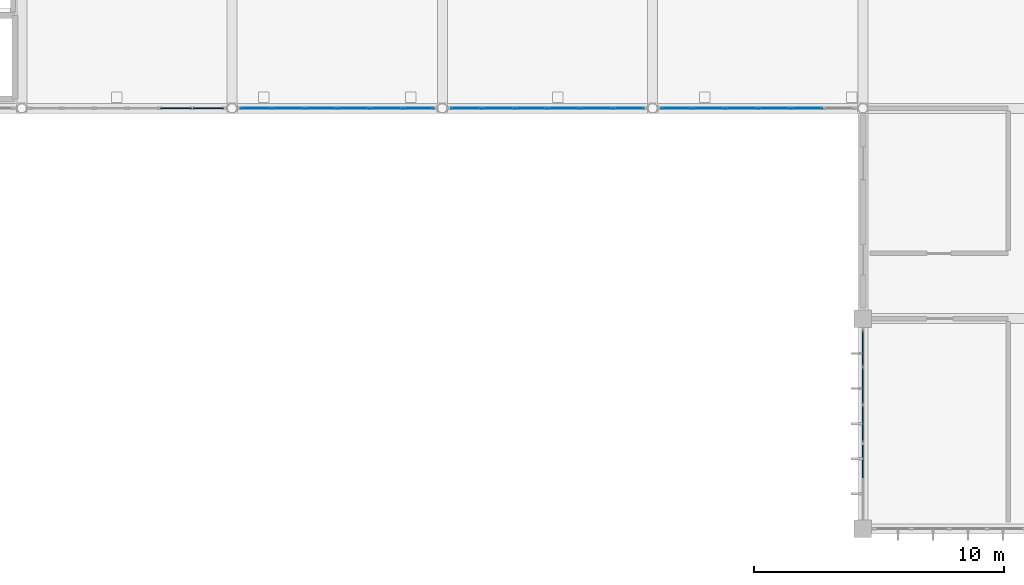
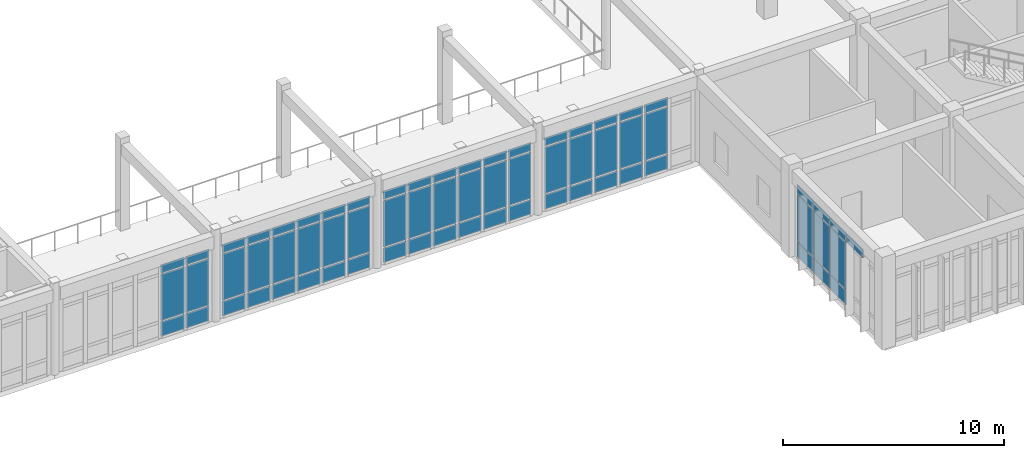
# One storey, part 69 of 134: 67 plates, 5 elements without a shape of their own.
"""IFC4 building model written with IfcOpenShell, lengths in metres."""

from ifc_helpers import new_model, si_unit, direction, frame, origin, origin_2d, place, context, subcontext, project, spatial, rectangle, extrude, material, layer, layer_set, type_object, element, aggregate, save


model = new_model("IFC4")

# Units and contexts
model_context = context("Model", 3, precision=1e-05, world=origin(), true_north=direction((0.0, 1.0)))
body_context = subcontext(model_context, "Body", "Model", "MODEL_VIEW")
ifc_project = project(units=[si_unit("LENGTHUNIT", "METRE"), si_unit("AREAUNIT", "SQUARE_METRE"), si_unit("VOLUMEUNIT", "CUBIC_METRE"), si_unit("PLANEANGLEUNIT", "RADIAN"), si_unit("MASSUNIT", "GRAM", prefix="KILO")], contexts=[model_context])

# Site, building, storey
site_placement = place(None, origin())
site = spatial("IfcSite", under=ifc_project, at=site_placement, CompositionType="ELEMENT")
building_placement = place(site_placement, origin())
building = spatial("IfcBuilding", under=site, at=building_placement, Name="Bramfleet General Hospital", CompositionType="ELEMENT")
storey_placement = place(building_placement, frame((0.0, 0.0, 9.300048828125)))
storey = spatial("IfcBuildingStorey", under=building, at=storey_placement, Name="L02", CompositionType="ELEMENT", Elevation=9.300048828125)

# Curtain wall, plates
ifc_material_1 = material(Name="Anodised aluminium and low-E triple glazing", Category="aluminium")
ifc_layer_1 = layer(ifc_material_1, 0.179931640625, Name="CWT-CW-03")
ifc_layer_set_1 = layer_set([ifc_layer_1], Name="Anodised aluminium and low-E triple glazing")
curtain_wall_type_1 = type_object("IfcCurtainWallType", Name="CWT-CW-03", PredefinedType="USERDEFINED", material=ifc_layer_set_1)
curtain_wall_1_placement = place(storey_placement, origin())
curtain_wall_1 = element("IfcCurtainWall", 1, at=curtain_wall_1_placement, inside=storey, type_object=curtain_wall_type_1, Name="L02 Curtain Wall 129", ObjectType="Unitised curtain wall", PredefinedType="USERDEFINED")
ifc_material_2 = material(Name="Low-E laminated safety glass", Category="glass")
ifc_layer_2 = layer(ifc_material_2, 0.028076171875, Name="CWP-GLZ-1")
ifc_layer_set_2 = layer_set([ifc_layer_2], Name="Low-E laminated safety glass")
plate_type_1 = type_object("IfcPlateType", Name="CWP-GLZ-1", PredefinedType="CURTAIN_PANEL", material=ifc_layer_set_2)
plate_1_placement = place(storey_placement, frame((90.160888671875, 16.800048828125, 0.06494140625), z_axis=(0.0, 0.0, 1.0), x_axis=(-1.0, 0.0, 0.0)))
plate_1 = element("IfcPlate", 2, at=plate_1_placement, type_object=plate_type_1, Name="CW-03 panel 2.1", PredefinedType="CURTAIN_PANEL", context=body_context, shape_type="SweptSolid", body=[
    extrude(rectangle(XDim=1.232421875, YDim=0.028076171875, at=origin_2d()), origin(), (0.0, 0.0, 1.0), 0.802490234375),
])
plate_2_placement = place(storey_placement, frame((90.160888671875, 16.800048828125, 0.9326171875), z_axis=(0.0, 0.0, 1.0), x_axis=(-1.0, 0.0, 0.0)))
plate_2 = element("IfcPlate", 3, at=plate_2_placement, type_object=plate_type_1, Name="CW-03 panel 2.2", PredefinedType="CURTAIN_PANEL", context=body_context, shape_type="SweptSolid", body=[
    extrude(rectangle(XDim=1.232421875, YDim=0.028076171875, at=origin_2d()), origin(), (0.0, 0.0, 1.0), 2.554931640625),
])
plate_3_placement = place(storey_placement, frame((90.160888671875, 16.800048828125, 3.552734375), z_axis=(0.0, 0.0, 1.0), x_axis=(-1.0, 0.0, 0.0)))
plate_3 = element("IfcPlate", 4, at=plate_3_placement, type_object=plate_type_1, Name="CW-03 panel 2.3", PredefinedType="CURTAIN_PANEL", context=body_context, shape_type="SweptSolid", body=[
    extrude(rectangle(XDim=1.232421875, YDim=0.028076171875, at=origin_2d()), origin(), (0.0, 0.0, 1.0), 0.452392578125),
])
plate_4_placement = place(storey_placement, frame((88.853759765625, 16.800048828125, 0.06494140625), z_axis=(0.0, 0.0, 1.0), x_axis=(-1.0, 0.0, 0.0)))
plate_4 = element("IfcPlate", 5, at=plate_4_placement, type_object=plate_type_1, Name="CW-03 panel 3.1", PredefinedType="CURTAIN_PANEL", context=body_context, shape_type="SweptSolid", body=[
    extrude(rectangle(XDim=1.232421875, YDim=0.028076171875, at=origin_2d()), origin(), (0.0, 0.0, 1.0), 0.802490234375),
])
plate_5_placement = place(storey_placement, frame((88.853759765625, 16.800048828125, 0.9326171875), z_axis=(0.0, 0.0, 1.0), x_axis=(-1.0, 0.0, 0.0)))
plate_5 = element("IfcPlate", 6, at=plate_5_placement, type_object=plate_type_1, Name="CW-03 panel 3.2", PredefinedType="CURTAIN_PANEL", context=body_context, shape_type="SweptSolid", body=[
    extrude(rectangle(XDim=1.232421875, YDim=0.028076171875, at=origin_2d()), origin(), (0.0, 0.0, 1.0), 2.554931640625),
])
plate_6_placement = place(storey_placement, frame((88.853759765625, 16.800048828125, 3.552734375), z_axis=(0.0, 0.0, 1.0), x_axis=(-1.0, 0.0, 0.0)))
plate_6 = element("IfcPlate", 7, at=plate_6_placement, type_object=plate_type_1, Name="CW-03 panel 3.3", PredefinedType="CURTAIN_PANEL", context=body_context, shape_type="SweptSolid", body=[
    extrude(rectangle(XDim=1.232421875, YDim=0.028076171875, at=origin_2d()), origin(), (0.0, 0.0, 1.0), 0.452392578125),
])
plate_7_placement = place(storey_placement, frame((87.54638671875, 16.800048828125, 0.06494140625), z_axis=(0.0, 0.0, 1.0), x_axis=(-1.0, 0.0, 0.0)))
plate_7 = element("IfcPlate", 8, at=plate_7_placement, type_object=plate_type_1, Name="CW-03 panel 4.1", PredefinedType="CURTAIN_PANEL", context=body_context, shape_type="SweptSolid", body=[
    extrude(rectangle(XDim=1.232421875, YDim=0.028076171875, at=origin_2d()), origin(), (0.0, 0.0, 1.0), 0.802490234375),
])
plate_8_placement = place(storey_placement, frame((87.54638671875, 16.800048828125, 0.9326171875), z_axis=(0.0, 0.0, 1.0), x_axis=(-1.0, 0.0, 0.0)))
plate_8 = element("IfcPlate", 9, at=plate_8_placement, type_object=plate_type_1, Name="CW-03 panel 4.2", PredefinedType="CURTAIN_PANEL", context=body_context, shape_type="SweptSolid", body=[
    extrude(rectangle(XDim=1.232421875, YDim=0.028076171875, at=origin_2d()), origin(), (0.0, 0.0, 1.0), 2.554931640625),
])
plate_9_placement = place(storey_placement, frame((87.54638671875, 16.800048828125, 3.552734375), z_axis=(0.0, 0.0, 1.0), x_axis=(-1.0, 0.0, 0.0)))
plate_9 = element("IfcPlate", 10, at=plate_9_placement, type_object=plate_type_1, Name="CW-03 panel 4.3", PredefinedType="CURTAIN_PANEL", context=body_context, shape_type="SweptSolid", body=[
    extrude(rectangle(XDim=1.232421875, YDim=0.028076171875, at=origin_2d()), origin(), (0.0, 0.0, 1.0), 0.452392578125),
])
plate_10_placement = place(storey_placement, frame((86.239013671875, 16.800048828125, 0.06494140625), z_axis=(0.0, 0.0, 1.0), x_axis=(-1.0, 0.0, 0.0)))
plate_10 = element("IfcPlate", 11, at=plate_10_placement, type_object=plate_type_1, Name="CW-03 panel 5.1", PredefinedType="CURTAIN_PANEL", context=body_context, shape_type="SweptSolid", body=[
    extrude(rectangle(XDim=1.232421875, YDim=0.028076171875, at=origin_2d()), origin(), (0.0, 0.0, 1.0), 0.802490234375),
])
plate_11_placement = place(storey_placement, frame((86.239013671875, 16.800048828125, 0.9326171875), z_axis=(0.0, 0.0, 1.0), x_axis=(-1.0, 0.0, 0.0)))
plate_11 = element("IfcPlate", 12, at=plate_11_placement, type_object=plate_type_1, Name="CW-03 panel 5.2", PredefinedType="CURTAIN_PANEL", context=body_context, shape_type="SweptSolid", body=[
    extrude(rectangle(XDim=1.232421875, YDim=0.028076171875, at=origin_2d()), origin(), (0.0, 0.0, 1.0), 2.554931640625),
])
plate_12_placement = place(storey_placement, frame((86.239013671875, 16.800048828125, 3.552734375), z_axis=(0.0, 0.0, 1.0), x_axis=(-1.0, 0.0, 0.0)))
plate_12 = element("IfcPlate", 13, at=plate_12_placement, type_object=plate_type_1, Name="CW-03 panel 5.3", PredefinedType="CURTAIN_PANEL", context=body_context, shape_type="SweptSolid", body=[
    extrude(rectangle(XDim=1.232421875, YDim=0.028076171875, at=origin_2d()), origin(), (0.0, 0.0, 1.0), 0.452392578125),
])
plate_13_placement = place(storey_placement, frame((84.950439453125, 16.800048828125, 0.06494140625), z_axis=(0.0, 0.0, 1.0), x_axis=(-1.0, 0.0, 0.0)))
plate_13 = element("IfcPlate", 14, at=plate_13_placement, type_object=plate_type_1, Name="CW-03 panel 6.1", PredefinedType="CURTAIN_PANEL", context=body_context, shape_type="SweptSolid", body=[
    extrude(rectangle(XDim=1.19482421875, YDim=0.028076171875, at=origin_2d()), origin(), (0.0, 0.0, 1.0), 0.802490234375),
])
plate_14_placement = place(storey_placement, frame((84.950439453125, 16.800048828125, 0.9326171875), z_axis=(0.0, 0.0, 1.0), x_axis=(-1.0, 0.0, 0.0)))
plate_14 = element("IfcPlate", 15, at=plate_14_placement, type_object=plate_type_1, Name="CW-03 panel 6.2", PredefinedType="CURTAIN_PANEL", context=body_context, shape_type="SweptSolid", body=[
    extrude(rectangle(XDim=1.19482421875, YDim=0.028076171875, at=origin_2d()), origin(), (0.0, 0.0, 1.0), 2.554931640625),
])
plate_15_placement = place(storey_placement, frame((84.950439453125, 16.800048828125, 3.552734375), z_axis=(0.0, 0.0, 1.0), x_axis=(-1.0, 0.0, 0.0)))
plate_15 = element("IfcPlate", 16, at=plate_15_placement, type_object=plate_type_1, Name="CW-03 panel 6.3", PredefinedType="CURTAIN_PANEL", context=body_context, shape_type="SweptSolid", body=[
    extrude(rectangle(XDim=1.19482421875, YDim=0.028076171875, at=origin_2d()), origin(), (0.0, 0.0, 1.0), 0.452392578125),
])
aggregate(curtain_wall_1, [plate_1, plate_2, plate_3, plate_4, plate_5, plate_6, plate_7, plate_8, plate_9, plate_10, plate_11, plate_12, plate_13, plate_14, plate_15])

ifc_layer_3 = layer(ifc_material_1, 0.179931640625, Name="CWT-CW-04")
ifc_layer_set_3 = layer_set([ifc_layer_3], Name="Anodised aluminium and low-E triple glazing")
curtain_wall_type_2 = type_object("IfcCurtainWallType", Name="CWT-CW-04", PredefinedType="USERDEFINED", material=ifc_layer_set_3)
curtain_wall_2_placement = place(storey_placement, origin())
curtain_wall_2 = element("IfcCurtainWall", 17, at=curtain_wall_2_placement, inside=storey, type_object=curtain_wall_type_2, Name="L02 Curtain Wall 130", ObjectType="Unitised curtain wall", PredefinedType="USERDEFINED")
ifc_layer_4 = layer(ifc_material_2, 0.031982421875, Name="CWP-GLZ-2")
ifc_layer_set_4 = layer_set([ifc_layer_4], Name="Low-E laminated safety glass")
plate_type_2 = type_object("IfcPlateType", Name="CWP-GLZ-2", PredefinedType="CURTAIN_PANEL", material=ifc_layer_set_4)
plate_16_placement = place(storey_placement, frame((83.049560546875, 16.800048828125, 0.06494140625), z_axis=(0.0, 0.0, 1.0), x_axis=(-1.0, 0.0, 0.0)))
plate_16 = element("IfcPlate", 18, at=plate_16_placement, type_object=plate_type_2, Name="CW-04 panel 1.1", PredefinedType="CURTAIN_PANEL", context=body_context, shape_type="SweptSolid", body=[
    extrude(rectangle(XDim=1.19482421875, YDim=0.031982421875, at=origin_2d()), origin(), (0.0, 0.0, 1.0), 0.802490234375),
])
plate_17_placement = place(storey_placement, frame((83.049560546875, 16.800048828125, 0.9326171875), z_axis=(0.0, 0.0, 1.0), x_axis=(-1.0, 0.0, 0.0)))
plate_17 = element("IfcPlate", 19, at=plate_17_placement, type_object=plate_type_2, Name="CW-04 panel 1.2", PredefinedType="CURTAIN_PANEL", context=body_context, shape_type="SweptSolid", body=[
    extrude(rectangle(XDim=1.19482421875, YDim=0.031982421875, at=origin_2d()), origin(), (0.0, 0.0, 1.0), 2.554931640625),
])
plate_18_placement = place(storey_placement, frame((83.049560546875, 16.800048828125, 3.552734375), z_axis=(0.0, 0.0, 1.0), x_axis=(-1.0, 0.0, 0.0)))
plate_18 = element("IfcPlate", 20, at=plate_18_placement, type_object=plate_type_2, Name="CW-04 panel 1.3", PredefinedType="CURTAIN_PANEL", context=body_context, shape_type="SweptSolid", body=[
    extrude(rectangle(XDim=1.19482421875, YDim=0.031982421875, at=origin_2d()), origin(), (0.0, 0.0, 1.0), 0.452392578125),
])
plate_19_placement = place(storey_placement, frame((81.760986328125, 16.800048828125, 0.06494140625), z_axis=(0.0, 0.0, 1.0), x_axis=(-1.0, 0.0, 0.0)))
plate_19 = element("IfcPlate", 21, at=plate_19_placement, type_object=plate_type_2, Name="CW-04 panel 2.1", PredefinedType="CURTAIN_PANEL", context=body_context, shape_type="SweptSolid", body=[
    extrude(rectangle(XDim=1.232421875, YDim=0.031982421875, at=origin_2d()), origin(), (0.0, 0.0, 1.0), 0.802490234375),
])
plate_20_placement = place(storey_placement, frame((81.760986328125, 16.800048828125, 0.9326171875), z_axis=(0.0, 0.0, 1.0), x_axis=(-1.0, 0.0, 0.0)))
plate_20 = element("IfcPlate", 22, at=plate_20_placement, type_object=plate_type_2, Name="CW-04 panel 2.2", PredefinedType="CURTAIN_PANEL", context=body_context, shape_type="SweptSolid", body=[
    extrude(rectangle(XDim=1.232421875, YDim=0.031982421875, at=origin_2d()), origin(), (0.0, 0.0, 1.0), 2.554931640625),
])
plate_21_placement = place(storey_placement, frame((81.760986328125, 16.800048828125, 3.552734375), z_axis=(0.0, 0.0, 1.0), x_axis=(-1.0, 0.0, 0.0)))
plate_21 = element("IfcPlate", 23, at=plate_21_placement, type_object=plate_type_2, Name="CW-04 panel 2.3", PredefinedType="CURTAIN_PANEL", context=body_context, shape_type="SweptSolid", body=[
    extrude(rectangle(XDim=1.232421875, YDim=0.031982421875, at=origin_2d()), origin(), (0.0, 0.0, 1.0), 0.452392578125),
])
plate_22_placement = place(storey_placement, frame((80.45361328125, 16.800048828125, 0.06494140625), z_axis=(0.0, 0.0, 1.0), x_axis=(-1.0, 0.0, 0.0)))
plate_22 = element("IfcPlate", 24, at=plate_22_placement, type_object=plate_type_2, Name="CW-04 panel 3.1", PredefinedType="CURTAIN_PANEL", context=body_context, shape_type="SweptSolid", body=[
    extrude(rectangle(XDim=1.232421875, YDim=0.031982421875, at=origin_2d()), origin(), (0.0, 0.0, 1.0), 0.802490234375),
])
plate_23_placement = place(storey_placement, frame((80.45361328125, 16.800048828125, 0.9326171875), z_axis=(0.0, 0.0, 1.0), x_axis=(-1.0, 0.0, 0.0)))
plate_23 = element("IfcPlate", 25, at=plate_23_placement, type_object=plate_type_2, Name="CW-04 panel 3.2", PredefinedType="CURTAIN_PANEL", context=body_context, shape_type="SweptSolid", body=[
    extrude(rectangle(XDim=1.232421875, YDim=0.031982421875, at=origin_2d()), origin(), (0.0, 0.0, 1.0), 2.554931640625),
])
plate_24_placement = place(storey_placement, frame((80.45361328125, 16.800048828125, 3.552734375), z_axis=(0.0, 0.0, 1.0), x_axis=(-1.0, 0.0, 0.0)))
plate_24 = element("IfcPlate", 26, at=plate_24_placement, type_object=plate_type_2, Name="CW-04 panel 3.3", PredefinedType="CURTAIN_PANEL", context=body_context, shape_type="SweptSolid", body=[
    extrude(rectangle(XDim=1.232421875, YDim=0.031982421875, at=origin_2d()), origin(), (0.0, 0.0, 1.0), 0.452392578125),
])
plate_25_placement = place(storey_placement, frame((79.146240234375, 16.800048828125, 0.06494140625), z_axis=(0.0, 0.0, 1.0), x_axis=(-1.0, 0.0, 0.0)))
plate_25 = element("IfcPlate", 27, at=plate_25_placement, type_object=plate_type_2, Name="CW-04 panel 4.1", PredefinedType="CURTAIN_PANEL", context=body_context, shape_type="SweptSolid", body=[
    extrude(rectangle(XDim=1.232421875, YDim=0.031982421875, at=origin_2d()), origin(), (0.0, 0.0, 1.0), 0.802490234375),
])
plate_26_placement = place(storey_placement, frame((79.146240234375, 16.800048828125, 0.9326171875), z_axis=(0.0, 0.0, 1.0), x_axis=(-1.0, 0.0, 0.0)))
plate_26 = element("IfcPlate", 28, at=plate_26_placement, type_object=plate_type_2, Name="CW-04 panel 4.2", PredefinedType="CURTAIN_PANEL", context=body_context, shape_type="SweptSolid", body=[
    extrude(rectangle(XDim=1.232421875, YDim=0.031982421875, at=origin_2d()), origin(), (0.0, 0.0, 1.0), 2.554931640625),
])
plate_27_placement = place(storey_placement, frame((79.146240234375, 16.800048828125, 3.552734375), z_axis=(0.0, 0.0, 1.0), x_axis=(-1.0, 0.0, 0.0)))
plate_27 = element("IfcPlate", 29, at=plate_27_placement, type_object=plate_type_2, Name="CW-04 panel 4.3", PredefinedType="CURTAIN_PANEL", context=body_context, shape_type="SweptSolid", body=[
    extrude(rectangle(XDim=1.232421875, YDim=0.031982421875, at=origin_2d()), origin(), (0.0, 0.0, 1.0), 0.452392578125),
])
plate_28_placement = place(storey_placement, frame((77.839111328125, 16.800048828125, 0.06494140625), z_axis=(0.0, 0.0, 1.0), x_axis=(-1.0, 0.0, 0.0)))
plate_28 = element("IfcPlate", 30, at=plate_28_placement, type_object=plate_type_2, Name="CW-04 panel 5.1", PredefinedType="CURTAIN_PANEL", context=body_context, shape_type="SweptSolid", body=[
    extrude(rectangle(XDim=1.232421875, YDim=0.031982421875, at=origin_2d()), origin(), (0.0, 0.0, 1.0), 0.802490234375),
])
plate_29_placement = place(storey_placement, frame((77.839111328125, 16.800048828125, 0.9326171875), z_axis=(0.0, 0.0, 1.0), x_axis=(-1.0, 0.0, 0.0)))
plate_29 = element("IfcPlate", 31, at=plate_29_placement, type_object=plate_type_2, Name="CW-04 panel 5.2", PredefinedType="CURTAIN_PANEL", context=body_context, shape_type="SweptSolid", body=[
    extrude(rectangle(XDim=1.232421875, YDim=0.031982421875, at=origin_2d()), origin(), (0.0, 0.0, 1.0), 2.554931640625),
])
plate_30_placement = place(storey_placement, frame((77.839111328125, 16.800048828125, 3.552734375), z_axis=(0.0, 0.0, 1.0), x_axis=(-1.0, 0.0, 0.0)))
plate_30 = element("IfcPlate", 32, at=plate_30_placement, type_object=plate_type_2, Name="CW-04 panel 5.3", PredefinedType="CURTAIN_PANEL", context=body_context, shape_type="SweptSolid", body=[
    extrude(rectangle(XDim=1.232421875, YDim=0.031982421875, at=origin_2d()), origin(), (0.0, 0.0, 1.0), 0.452392578125),
])
plate_31_placement = place(storey_placement, frame((76.550537109375, 16.800048828125, 0.06494140625), z_axis=(0.0, 0.0, 1.0), x_axis=(-1.0, 0.0, 0.0)))
plate_31 = element("IfcPlate", 33, at=plate_31_placement, type_object=plate_type_2, Name="CW-04 panel 6.1", PredefinedType="CURTAIN_PANEL", context=body_context, shape_type="SweptSolid", body=[
    extrude(rectangle(XDim=1.19482421875, YDim=0.031982421875, at=origin_2d()), origin(), (0.0, 0.0, 1.0), 0.802490234375),
])
plate_32_placement = place(storey_placement, frame((76.550537109375, 16.800048828125, 0.9326171875), z_axis=(0.0, 0.0, 1.0), x_axis=(-1.0, 0.0, 0.0)))
plate_32 = element("IfcPlate", 34, at=plate_32_placement, type_object=plate_type_2, Name="CW-04 panel 6.2", PredefinedType="CURTAIN_PANEL", context=body_context, shape_type="SweptSolid", body=[
    extrude(rectangle(XDim=1.19482421875, YDim=0.031982421875, at=origin_2d()), origin(), (0.0, 0.0, 1.0), 2.554931640625),
])
plate_33_placement = place(storey_placement, frame((76.550537109375, 16.800048828125, 3.552734375), z_axis=(0.0, 0.0, 1.0), x_axis=(-1.0, 0.0, 0.0)))
plate_33 = element("IfcPlate", 35, at=plate_33_placement, type_object=plate_type_2, Name="CW-04 panel 6.3", PredefinedType="CURTAIN_PANEL", context=body_context, shape_type="SweptSolid", body=[
    extrude(rectangle(XDim=1.19482421875, YDim=0.031982421875, at=origin_2d()), origin(), (0.0, 0.0, 1.0), 0.452392578125),
])
aggregate(curtain_wall_2, [plate_16, plate_17, plate_18, plate_19, plate_20, plate_21, plate_22, plate_23, plate_24, plate_25, plate_26, plate_27, plate_28, plate_29, plate_30, plate_31, plate_32, plate_33])

ifc_layer_5 = layer(ifc_material_1, 0.179931640625, Name="CWT-CW-05")
ifc_layer_set_5 = layer_set([ifc_layer_5], Name="Anodised aluminium and low-E triple glazing")
curtain_wall_type_3 = type_object("IfcCurtainWallType", Name="CWT-CW-05", PredefinedType="USERDEFINED", material=ifc_layer_set_5)
curtain_wall_3_placement = place(storey_placement, origin())
curtain_wall_3 = element("IfcCurtainWall", 36, at=curtain_wall_3_placement, inside=storey, type_object=curtain_wall_type_3, Name="L02 Curtain Wall 131", ObjectType="Unitised curtain wall", PredefinedType="USERDEFINED")
ifc_layer_6 = layer(ifc_material_2, 0.035888671875, Name="CWP-GLZ-3")
ifc_layer_set_6 = layer_set([ifc_layer_6], Name="Low-E laminated safety glass")
plate_type_3 = type_object("IfcPlateType", Name="CWP-GLZ-3", PredefinedType="CURTAIN_PANEL", material=ifc_layer_set_6)
plate_34_placement = place(storey_placement, frame((74.649658203125, 16.800048828125, 0.06494140625), z_axis=(0.0, 0.0, 1.0), x_axis=(-1.0, 0.0, 0.0)))
plate_34 = element("IfcPlate", 37, at=plate_34_placement, type_object=plate_type_3, Name="CW-05 panel 1.1", PredefinedType="CURTAIN_PANEL", context=body_context, shape_type="SweptSolid", body=[
    extrude(rectangle(XDim=1.19482421875, YDim=0.035888671875, at=origin_2d()), origin(), (0.0, 0.0, 1.0), 0.802490234375),
])
plate_35_placement = place(storey_placement, frame((74.649658203125, 16.800048828125, 0.9326171875), z_axis=(0.0, 0.0, 1.0), x_axis=(-1.0, 0.0, 0.0)))
plate_35 = element("IfcPlate", 38, at=plate_35_placement, type_object=plate_type_3, Name="CW-05 panel 1.2", PredefinedType="CURTAIN_PANEL", context=body_context, shape_type="SweptSolid", body=[
    extrude(rectangle(XDim=1.19482421875, YDim=0.035888671875, at=origin_2d()), origin(), (0.0, 0.0, 1.0), 2.554931640625),
])
plate_36_placement = place(storey_placement, frame((74.649658203125, 16.800048828125, 3.552734375), z_axis=(0.0, 0.0, 1.0), x_axis=(-1.0, 0.0, 0.0)))
plate_36 = element("IfcPlate", 39, at=plate_36_placement, type_object=plate_type_3, Name="CW-05 panel 1.3", PredefinedType="CURTAIN_PANEL", context=body_context, shape_type="SweptSolid", body=[
    extrude(rectangle(XDim=1.19482421875, YDim=0.035888671875, at=origin_2d()), origin(), (0.0, 0.0, 1.0), 0.452392578125),
])
plate_37_placement = place(storey_placement, frame((73.361083984375, 16.800048828125, 0.06494140625), z_axis=(0.0, 0.0, 1.0), x_axis=(-1.0, 0.0, 0.0)))
plate_37 = element("IfcPlate", 40, at=plate_37_placement, type_object=plate_type_3, Name="CW-05 panel 2.1", PredefinedType="CURTAIN_PANEL", context=body_context, shape_type="SweptSolid", body=[
    extrude(rectangle(XDim=1.232421875, YDim=0.035888671875, at=origin_2d()), origin(), (0.0, 0.0, 1.0), 0.802490234375),
])
plate_38_placement = place(storey_placement, frame((73.361083984375, 16.800048828125, 0.9326171875), z_axis=(0.0, 0.0, 1.0), x_axis=(-1.0, 0.0, 0.0)))
plate_38 = element("IfcPlate", 41, at=plate_38_placement, type_object=plate_type_3, Name="CW-05 panel 2.2", PredefinedType="CURTAIN_PANEL", context=body_context, shape_type="SweptSolid", body=[
    extrude(rectangle(XDim=1.232421875, YDim=0.035888671875, at=origin_2d()), origin(), (0.0, 0.0, 1.0), 2.554931640625),
])
plate_39_placement = place(storey_placement, frame((73.361083984375, 16.800048828125, 3.552734375), z_axis=(0.0, 0.0, 1.0), x_axis=(-1.0, 0.0, 0.0)))
plate_39 = element("IfcPlate", 42, at=plate_39_placement, type_object=plate_type_3, Name="CW-05 panel 2.3", PredefinedType="CURTAIN_PANEL", context=body_context, shape_type="SweptSolid", body=[
    extrude(rectangle(XDim=1.232421875, YDim=0.035888671875, at=origin_2d()), origin(), (0.0, 0.0, 1.0), 0.452392578125),
])
plate_40_placement = place(storey_placement, frame((72.0537109375, 16.800048828125, 0.06494140625), z_axis=(0.0, 0.0, 1.0), x_axis=(-1.0, 0.0, 0.0)))
plate_40 = element("IfcPlate", 43, at=plate_40_placement, type_object=plate_type_3, Name="CW-05 panel 3.1", PredefinedType="CURTAIN_PANEL", context=body_context, shape_type="SweptSolid", body=[
    extrude(rectangle(XDim=1.232421875, YDim=0.035888671875, at=origin_2d()), origin(), (0.0, 0.0, 1.0), 0.802490234375),
])
plate_41_placement = place(storey_placement, frame((72.0537109375, 16.800048828125, 0.9326171875), z_axis=(0.0, 0.0, 1.0), x_axis=(-1.0, 0.0, 0.0)))
plate_41 = element("IfcPlate", 44, at=plate_41_placement, type_object=plate_type_3, Name="CW-05 panel 3.2", PredefinedType="CURTAIN_PANEL", context=body_context, shape_type="SweptSolid", body=[
    extrude(rectangle(XDim=1.232421875, YDim=0.035888671875, at=origin_2d()), origin(), (0.0, 0.0, 1.0), 2.554931640625),
])
plate_42_placement = place(storey_placement, frame((72.0537109375, 16.800048828125, 3.552734375), z_axis=(0.0, 0.0, 1.0), x_axis=(-1.0, 0.0, 0.0)))
plate_42 = element("IfcPlate", 45, at=plate_42_placement, type_object=plate_type_3, Name="CW-05 panel 3.3", PredefinedType="CURTAIN_PANEL", context=body_context, shape_type="SweptSolid", body=[
    extrude(rectangle(XDim=1.232421875, YDim=0.035888671875, at=origin_2d()), origin(), (0.0, 0.0, 1.0), 0.452392578125),
])
plate_43_placement = place(storey_placement, frame((70.746337890625, 16.800048828125, 0.06494140625), z_axis=(0.0, 0.0, 1.0), x_axis=(-1.0, 0.0, 0.0)))
plate_43 = element("IfcPlate", 46, at=plate_43_placement, type_object=plate_type_3, Name="CW-05 panel 4.1", PredefinedType="CURTAIN_PANEL", context=body_context, shape_type="SweptSolid", body=[
    extrude(rectangle(XDim=1.232421875, YDim=0.035888671875, at=origin_2d()), origin(), (0.0, 0.0, 1.0), 0.802490234375),
])
plate_44_placement = place(storey_placement, frame((70.746337890625, 16.800048828125, 0.9326171875), z_axis=(0.0, 0.0, 1.0), x_axis=(-1.0, 0.0, 0.0)))
plate_44 = element("IfcPlate", 47, at=plate_44_placement, type_object=plate_type_3, Name="CW-05 panel 4.2", PredefinedType="CURTAIN_PANEL", context=body_context, shape_type="SweptSolid", body=[
    extrude(rectangle(XDim=1.232421875, YDim=0.035888671875, at=origin_2d()), origin(), (0.0, 0.0, 1.0), 2.554931640625),
])
plate_45_placement = place(storey_placement, frame((70.746337890625, 16.800048828125, 3.552734375), z_axis=(0.0, 0.0, 1.0), x_axis=(-1.0, 0.0, 0.0)))
plate_45 = element("IfcPlate", 48, at=plate_45_placement, type_object=plate_type_3, Name="CW-05 panel 4.3", PredefinedType="CURTAIN_PANEL", context=body_context, shape_type="SweptSolid", body=[
    extrude(rectangle(XDim=1.232421875, YDim=0.035888671875, at=origin_2d()), origin(), (0.0, 0.0, 1.0), 0.452392578125),
])
plate_46_placement = place(storey_placement, frame((69.43896484375, 16.800048828125, 0.06494140625), z_axis=(0.0, 0.0, 1.0), x_axis=(-1.0, 0.0, 0.0)))
plate_46 = element("IfcPlate", 49, at=plate_46_placement, type_object=plate_type_3, Name="CW-05 panel 5.1", PredefinedType="CURTAIN_PANEL", context=body_context, shape_type="SweptSolid", body=[
    extrude(rectangle(XDim=1.232421875, YDim=0.035888671875, at=origin_2d()), origin(), (0.0, 0.0, 1.0), 0.802490234375),
])
plate_47_placement = place(storey_placement, frame((69.43896484375, 16.800048828125, 0.9326171875), z_axis=(0.0, 0.0, 1.0), x_axis=(-1.0, 0.0, 0.0)))
plate_47 = element("IfcPlate", 50, at=plate_47_placement, type_object=plate_type_3, Name="CW-05 panel 5.2", PredefinedType="CURTAIN_PANEL", context=body_context, shape_type="SweptSolid", body=[
    extrude(rectangle(XDim=1.232421875, YDim=0.035888671875, at=origin_2d()), origin(), (0.0, 0.0, 1.0), 2.554931640625),
])
plate_48_placement = place(storey_placement, frame((69.43896484375, 16.800048828125, 3.552734375), z_axis=(0.0, 0.0, 1.0), x_axis=(-1.0, 0.0, 0.0)))
plate_48 = element("IfcPlate", 51, at=plate_48_placement, type_object=plate_type_3, Name="CW-05 panel 5.3", PredefinedType="CURTAIN_PANEL", context=body_context, shape_type="SweptSolid", body=[
    extrude(rectangle(XDim=1.232421875, YDim=0.035888671875, at=origin_2d()), origin(), (0.0, 0.0, 1.0), 0.452392578125),
])
plate_49_placement = place(storey_placement, frame((68.150390625, 16.800048828125, 0.06494140625), z_axis=(0.0, 0.0, 1.0), x_axis=(-1.0, 0.0, 0.0)))
plate_49 = element("IfcPlate", 52, at=plate_49_placement, type_object=plate_type_3, Name="CW-05 panel 6.1", PredefinedType="CURTAIN_PANEL", context=body_context, shape_type="SweptSolid", body=[
    extrude(rectangle(XDim=1.19482421875, YDim=0.035888671875, at=origin_2d()), origin(), (0.0, 0.0, 1.0), 0.802490234375),
])
plate_50_placement = place(storey_placement, frame((68.150390625, 16.800048828125, 0.9326171875), z_axis=(0.0, 0.0, 1.0), x_axis=(-1.0, 0.0, 0.0)))
plate_50 = element("IfcPlate", 53, at=plate_50_placement, type_object=plate_type_3, Name="CW-05 panel 6.2", PredefinedType="CURTAIN_PANEL", context=body_context, shape_type="SweptSolid", body=[
    extrude(rectangle(XDim=1.19482421875, YDim=0.035888671875, at=origin_2d()), origin(), (0.0, 0.0, 1.0), 2.554931640625),
])
plate_51_placement = place(storey_placement, frame((68.150390625, 16.800048828125, 3.552734375), z_axis=(0.0, 0.0, 1.0), x_axis=(-1.0, 0.0, 0.0)))
plate_51 = element("IfcPlate", 54, at=plate_51_placement, type_object=plate_type_3, Name="CW-05 panel 6.3", PredefinedType="CURTAIN_PANEL", context=body_context, shape_type="SweptSolid", body=[
    extrude(rectangle(XDim=1.19482421875, YDim=0.035888671875, at=origin_2d()), origin(), (0.0, 0.0, 1.0), 0.452392578125),
])
aggregate(curtain_wall_3, [plate_34, plate_35, plate_36, plate_37, plate_38, plate_39, plate_40, plate_41, plate_42, plate_43, plate_44, plate_45, plate_46, plate_47, plate_48, plate_49, plate_50, plate_51])

ifc_layer_7 = layer(ifc_material_1, 0.179931640625, Name="CWT-CW-02")
ifc_layer_set_7 = layer_set([ifc_layer_7], Name="Anodised aluminium and low-E triple glazing")
curtain_wall_type_4 = type_object("IfcCurtainWallType", Name="CWT-CW-02", PredefinedType="USERDEFINED", material=ifc_layer_set_7)
curtain_wall_4_placement = place(storey_placement, origin())
curtain_wall_4 = element("IfcCurtainWall", 55, at=curtain_wall_4_placement, inside=storey, type_object=curtain_wall_type_4, Name="L02 Curtain Wall 128", ObjectType="Unitised curtain wall", PredefinedType="USERDEFINED")
ifc_layer_8 = layer(ifc_material_2, 0.0419921875, Name="CWP-GLZ-4")
ifc_layer_set_8 = layer_set([ifc_layer_8], Name="Low-E laminated safety glass")
plate_type_4 = type_object("IfcPlateType", Name="CWP-GLZ-4", PredefinedType="CURTAIN_PANEL", material=ifc_layer_set_8)
plate_52_placement = place(storey_placement, frame((92.39990234375, 2.68994140625, 3.552734375), z_axis=(0.0, 0.0, 1.0), x_axis=(0.0, 1.0, 0.0)))
plate_52 = element("IfcPlate", 56, at=plate_52_placement, type_object=plate_type_4, Name="CW-02 panel 2.3", PredefinedType="CURTAIN_PANEL", context=body_context, shape_type="SweptSolid", body=[
    extrude(rectangle(XDim=1.43994140625, YDim=0.0419921875, at=origin_2d()), origin(), (0.0, 0.0, 1.0), 0.452392578125),
])
plate_53_placement = place(storey_placement, frame((92.39990234375, 4.199951171875, 0.06494140625), z_axis=(0.0, 0.0, 1.0), x_axis=(0.0, 1.0, 0.0)))
plate_53 = element("IfcPlate", 57, at=plate_53_placement, type_object=plate_type_4, Name="CW-02 panel 3.1", PredefinedType="CURTAIN_PANEL", context=body_context, shape_type="SweptSolid", body=[
    extrude(rectangle(XDim=1.43994140625, YDim=0.0419921875, at=origin_2d()), origin(), (0.0, 0.0, 1.0), 0.802490234375),
])
plate_54_placement = place(storey_placement, frame((92.39990234375, 4.199951171875, 0.9326171875), z_axis=(0.0, 0.0, 1.0), x_axis=(0.0, 1.0, 0.0)))
plate_54 = element("IfcPlate", 58, at=plate_54_placement, type_object=plate_type_4, Name="CW-02 panel 3.2", PredefinedType="CURTAIN_PANEL", context=body_context, shape_type="SweptSolid", body=[
    extrude(rectangle(XDim=1.43994140625, YDim=0.0419921875, at=origin_2d()), origin(), (0.0, 0.0, 1.0), 2.554931640625),
])
plate_55_placement = place(storey_placement, frame((92.39990234375, 4.199951171875, 3.552734375), z_axis=(0.0, 0.0, 1.0), x_axis=(0.0, 1.0, 0.0)))
plate_55 = element("IfcPlate", 59, at=plate_55_placement, type_object=plate_type_4, Name="CW-02 panel 3.3", PredefinedType="CURTAIN_PANEL", context=body_context, shape_type="SweptSolid", body=[
    extrude(rectangle(XDim=1.43994140625, YDim=0.0419921875, at=origin_2d()), origin(), (0.0, 0.0, 1.0), 0.452392578125),
])
plate_56_placement = place(storey_placement, frame((92.39990234375, 5.7099609375, 0.06494140625), z_axis=(0.0, 0.0, 1.0), x_axis=(0.0, 1.0, 0.0)))
plate_56 = element("IfcPlate", 60, at=plate_56_placement, type_object=plate_type_4, Name="CW-02 panel 4.1", PredefinedType="CURTAIN_PANEL", context=body_context, shape_type="SweptSolid", body=[
    extrude(rectangle(XDim=1.43994140625, YDim=0.0419921875, at=origin_2d()), origin(), (0.0, 0.0, 1.0), 0.802490234375),
])
plate_57_placement = place(storey_placement, frame((92.39990234375, 5.7099609375, 0.9326171875), z_axis=(0.0, 0.0, 1.0), x_axis=(0.0, 1.0, 0.0)))
plate_57 = element("IfcPlate", 61, at=plate_57_placement, type_object=plate_type_4, Name="CW-02 panel 4.2", PredefinedType="CURTAIN_PANEL", context=body_context, shape_type="SweptSolid", body=[
    extrude(rectangle(XDim=1.43994140625, YDim=0.0419921875, at=origin_2d()), origin(), (0.0, 0.0, 1.0), 2.554931640625),
])
plate_58_placement = place(storey_placement, frame((92.39990234375, 5.7099609375, 3.552734375), z_axis=(0.0, 0.0, 1.0), x_axis=(0.0, 1.0, 0.0)))
plate_58 = element("IfcPlate", 62, at=plate_58_placement, type_object=plate_type_4, Name="CW-02 panel 4.3", PredefinedType="CURTAIN_PANEL", context=body_context, shape_type="SweptSolid", body=[
    extrude(rectangle(XDim=1.43994140625, YDim=0.0419921875, at=origin_2d()), origin(), (0.0, 0.0, 1.0), 0.452392578125),
])
plate_59_placement = place(storey_placement, frame((92.39990234375, 7.202392578125, 0.06494140625), z_axis=(0.0, 0.0, 1.0), x_axis=(0.0, 1.0, 0.0)))
plate_59 = element("IfcPlate", 63, at=plate_59_placement, type_object=plate_type_4, Name="CW-02 panel 5.1", PredefinedType="CURTAIN_PANEL", context=body_context, shape_type="SweptSolid", body=[
    extrude(rectangle(XDim=1.405029296875, YDim=0.0419921875, at=origin_2d()), origin(), (0.0, 0.0, 1.0), 0.802490234375),
])
plate_60_placement = place(storey_placement, frame((92.39990234375, 7.202392578125, 0.9326171875), z_axis=(0.0, 0.0, 1.0), x_axis=(0.0, 1.0, 0.0)))
plate_60 = element("IfcPlate", 64, at=plate_60_placement, type_object=plate_type_4, Name="CW-02 panel 5.2", PredefinedType="CURTAIN_PANEL", context=body_context, shape_type="SweptSolid", body=[
    extrude(rectangle(XDim=1.405029296875, YDim=0.0419921875, at=origin_2d()), origin(), (0.0, 0.0, 1.0), 2.554931640625),
])
plate_61_placement = place(storey_placement, frame((92.39990234375, 7.202392578125, 3.552734375), z_axis=(0.0, 0.0, 1.0), x_axis=(0.0, 1.0, 0.0)))
plate_61 = element("IfcPlate", 65, at=plate_61_placement, type_object=plate_type_4, Name="CW-02 panel 5.3", PredefinedType="CURTAIN_PANEL", context=body_context, shape_type="SweptSolid", body=[
    extrude(rectangle(XDim=1.405029296875, YDim=0.0419921875, at=origin_2d()), origin(), (0.0, 0.0, 1.0), 0.452392578125),
])
aggregate(curtain_wall_4, [plate_52, plate_53, plate_54, plate_55, plate_56, plate_57, plate_58, plate_59, plate_60, plate_61])

ifc_layer_9 = layer(ifc_material_1, 0.179931640625, Name="CWT-CW-06")
ifc_layer_set_9 = layer_set([ifc_layer_9], Name="Anodised aluminium and low-E triple glazing")
curtain_wall_type_5 = type_object("IfcCurtainWallType", Name="CWT-CW-06", PredefinedType="USERDEFINED", material=ifc_layer_set_9)
curtain_wall_5_placement = place(storey_placement, origin())
curtain_wall_5 = element("IfcCurtainWall", 66, at=curtain_wall_5_placement, inside=storey, type_object=curtain_wall_type_5, Name="L02 Curtain Wall 132", ObjectType="Unitised curtain wall", PredefinedType="USERDEFINED")
plate_62_placement = place(storey_placement, frame((66.24951171875, 16.800048828125, 0.06494140625), z_axis=(0.0, 0.0, 1.0), x_axis=(-1.0, 0.0, 0.0)))
plate_62 = element("IfcPlate", 67, at=plate_62_placement, type_object=plate_type_4, Name="CW-06 panel 1.1", PredefinedType="CURTAIN_PANEL", context=body_context, shape_type="SweptSolid", body=[
    extrude(rectangle(XDim=1.19482421875, YDim=0.0419921875, at=origin_2d()), origin(), (0.0, 0.0, 1.0), 0.802490234375),
])
plate_63_placement = place(storey_placement, frame((66.24951171875, 16.800048828125, 0.9326171875), z_axis=(0.0, 0.0, 1.0), x_axis=(-1.0, 0.0, 0.0)))
plate_63 = element("IfcPlate", 68, at=plate_63_placement, type_object=plate_type_4, Name="CW-06 panel 1.2", PredefinedType="CURTAIN_PANEL", context=body_context, shape_type="SweptSolid", body=[
    extrude(rectangle(XDim=1.19482421875, YDim=0.0419921875, at=origin_2d()), origin(), (0.0, 0.0, 1.0), 2.554931640625),
])
plate_64_placement = place(storey_placement, frame((66.24951171875, 16.800048828125, 3.552734375), z_axis=(0.0, 0.0, 1.0), x_axis=(-1.0, 0.0, 0.0)))
plate_64 = element("IfcPlate", 69, at=plate_64_placement, type_object=plate_type_4, Name="CW-06 panel 1.3", PredefinedType="CURTAIN_PANEL", context=body_context, shape_type="SweptSolid", body=[
    extrude(rectangle(XDim=1.19482421875, YDim=0.0419921875, at=origin_2d()), origin(), (0.0, 0.0, 1.0), 0.452392578125),
])
plate_65_placement = place(storey_placement, frame((64.9609375, 16.800048828125, 0.06494140625), z_axis=(0.0, 0.0, 1.0), x_axis=(-1.0, 0.0, 0.0)))
plate_65 = element("IfcPlate", 70, at=plate_65_placement, type_object=plate_type_4, Name="CW-06 panel 2.1", PredefinedType="CURTAIN_PANEL", context=body_context, shape_type="SweptSolid", body=[
    extrude(rectangle(XDim=1.232421875, YDim=0.0419921875, at=origin_2d()), origin(), (0.0, 0.0, 1.0), 0.802490234375),
])
plate_66_placement = place(storey_placement, frame((64.9609375, 16.800048828125, 0.9326171875), z_axis=(0.0, 0.0, 1.0), x_axis=(-1.0, 0.0, 0.0)))
plate_66 = element("IfcPlate", 71, at=plate_66_placement, type_object=plate_type_4, Name="CW-06 panel 2.2", PredefinedType="CURTAIN_PANEL", context=body_context, shape_type="SweptSolid", body=[
    extrude(rectangle(XDim=1.232421875, YDim=0.0419921875, at=origin_2d()), origin(), (0.0, 0.0, 1.0), 2.554931640625),
])
plate_67_placement = place(storey_placement, frame((64.9609375, 16.800048828125, 3.552734375), z_axis=(0.0, 0.0, 1.0), x_axis=(-1.0, 0.0, 0.0)))
plate_67 = element("IfcPlate", 72, at=plate_67_placement, type_object=plate_type_4, Name="CW-06 panel 2.3", PredefinedType="CURTAIN_PANEL", context=body_context, shape_type="SweptSolid", body=[
    extrude(rectangle(XDim=1.232421875, YDim=0.0419921875, at=origin_2d()), origin(), (0.0, 0.0, 1.0), 0.452392578125),
])
aggregate(curtain_wall_5, [plate_62, plate_63, plate_64, plate_65, plate_66, plate_67])

save(model, "model.ifc")
